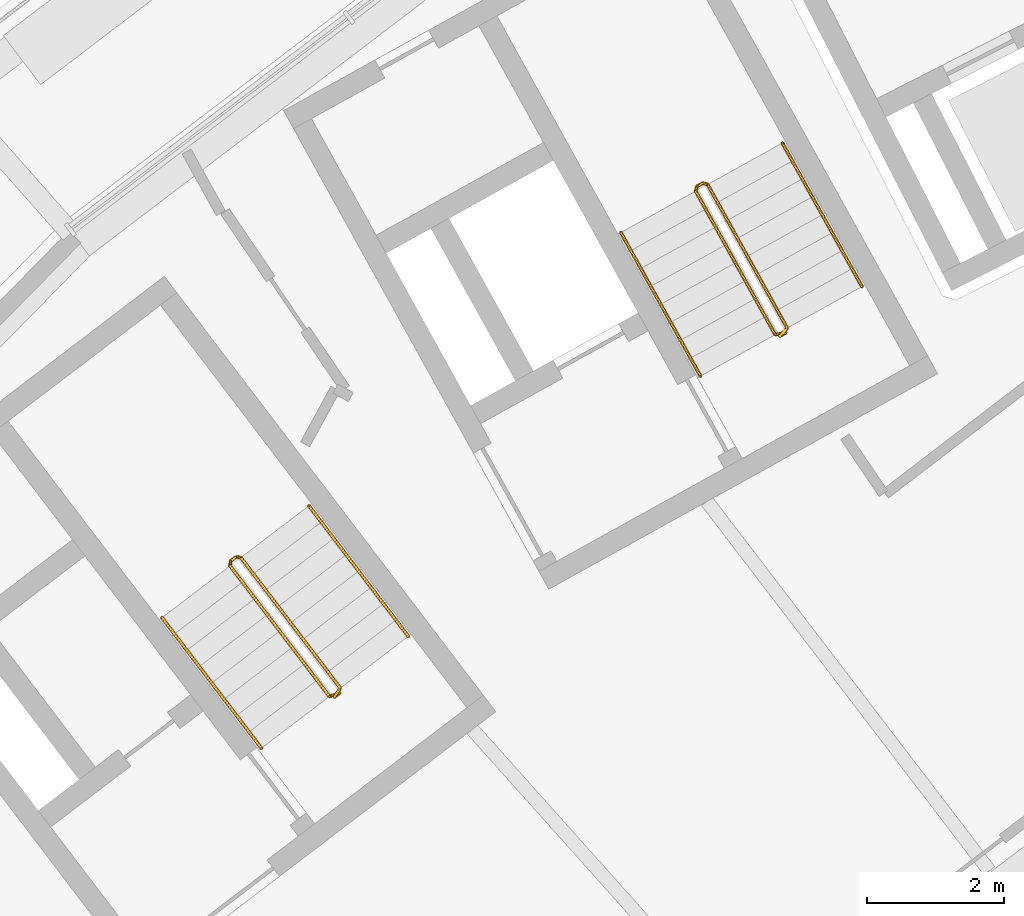
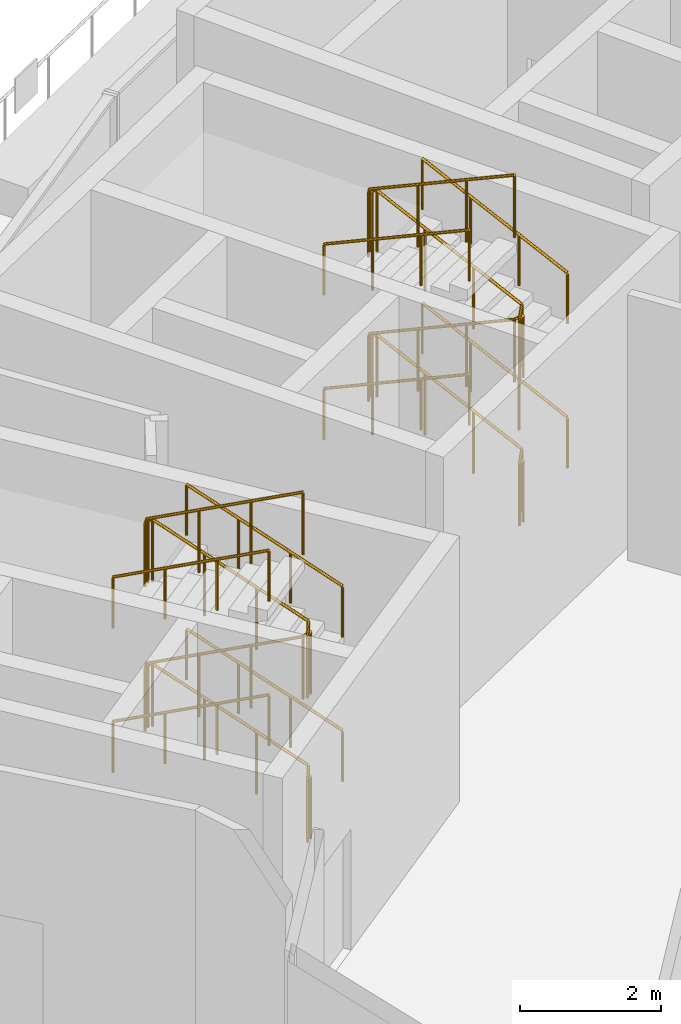
# One storey, part 26 of 28: 10 railings.
"""IFC4 building model written with IfcOpenShell, lengths in metres."""

from ifc_helpers import new_model, si_unit, direction, frame, origin, origin_2d, place, context, subcontext, project, spatial, circle, extrude, material, type_object, element, save


model = new_model("IFC4")

# Units and contexts
model_context = context("Model", 3, precision=1e-05, world=origin(), true_north=direction((0.0, 1.0)))
body_context = subcontext(model_context, "Body", "Model", "MODEL_VIEW")
ifc_project = project(units=[si_unit("LENGTHUNIT", "METRE"), si_unit("AREAUNIT", "SQUARE_METRE"), si_unit("VOLUMEUNIT", "CUBIC_METRE"), si_unit("PLANEANGLEUNIT", "RADIAN"), si_unit("MASSUNIT", "GRAM", prefix="KILO")], contexts=[model_context])

# Site, building, storey
site_placement = place(None, origin())
site = spatial("IfcSite", under=ifc_project, at=site_placement, CompositionType="ELEMENT")
building_placement = place(site_placement, origin())
building = spatial("IfcBuilding", under=site, at=building_placement, Name="Tuul Gate Civic Tower", CompositionType="ELEMENT")
storey_placement = place(building_placement, frame((0.0, 0.0, 128.699951171875)))
storey = spatial("IfcBuildingStorey", under=building, at=storey_placement, Name="Sky garden level 1", CompositionType="ELEMENT", Elevation=128.699951171875)

# Railings
ifc_material_1 = material(Name="Painted steel", Category="steel")
railing_type_1 = type_object("IfcRailingType", Name="Stair guard", PredefinedType="GUARDRAIL", material=ifc_material_1)
railing_1_placement = place(storey_placement, frame((-33.382080078125, -13.515380859375, 0.0)))
element("IfcRailing", 1, at=railing_1_placement, inside=storey, type_object=railing_type_1, Name="Sky garden level 1 ST-1 stair guard 1", PredefinedType="GUARDRAIL", context=body_context, shape_type="SweptSolid", body=[
    extrude(circle(Radius=0.02392578125, at=origin_2d()), frame((0.0, 0.0, 1.076171875), z_axis=(-0.795879841968, -0.605454603706, 0.0), x_axis=(0.605454603706, -0.795879841968, 0.0)), (0.0, 0.0, 1.0), 0.10009765625),
    extrude(circle(Radius=0.02392578125, at=origin_2d()), frame((-0.07958984375, -0.060546875, 1.076171875), z_axis=(0.423386299102, 0.620579917862, 0.660018641614), x_axis=(-0.826063974707, 0.563576356576, 0.0)), (0.0, 0.0, 1.0), 0.21044921875),
    extrude(circle(Radius=0.02392578125, at=origin_2d()), frame((0.009521484375, 0.070068359375, 1.21484375), z_axis=(-0.549737849212, 0.721998273498, 0.420127111967), x_axis=(-0.795620835531, -0.605794920801, 0.0)), (0.0, 0.0, 1.0), 2.64453125),
    extrude(circle(Radius=0.02392578125, at=origin_2d()), frame((-1.4443359375, 1.9794921875, 2.326171875), z_axis=(-0.990893089246, 0.134650977284, 0.0), x_axis=(-0.134650977284, -0.990893089246, 0.0)), (0.0, 0.0, 1.0), 0.07080078125),
    extrude(circle(Radius=0.02392578125, at=origin_2d()), frame((-1.514404296875, 1.989013671875, 2.326171875), z_axis=(-0.795879841968, -0.605454603706, 0.0), x_axis=(0.605454603706, -0.795879841968, 0.0)), (0.0, 0.0, 1.0), 0.10009765625),
    extrude(circle(Radius=0.02392578125, at=origin_2d()), frame((-1.593994140625, 1.928466796875, 2.326171875), z_axis=(-0.061082998929, -0.449508222888, 0.891185292068), x_axis=(0.990893089246, -0.134650977284, 0.0)), (0.0, 0.0, 1.0), 0.15576171875),
    extrude(circle(Radius=0.02392578125, at=origin_2d()), frame((-1.603515625, 1.8583984375, 2.46484375), z_axis=(0.549737849212, -0.721998273498, 0.420127111967), x_axis=(0.795620835531, 0.605794920801, 0.0)), (0.0, 0.0, 1.0), 2.64453125),
    extrude(circle(Radius=0.02392578125, at=origin_2d()), frame((-0.149658203125, -0.051025390625, 3.576171875), z_axis=(0.946499470085, 0.32270536582, 0.0), x_axis=(-0.32270536582, 0.946499470085, 0.0)), (0.0, 0.0, 1.0), 0.158203125),
    extrude(circle(Radius=0.02392578125, at=origin_2d()), frame((0.0, 0.0, 3.576171875), z_axis=(-0.795879841968, -0.605454603706, 0.0), x_axis=(0.605454603706, -0.795879841968, 0.0)), (0.0, 0.0, 1.0), 0.10009765625),
    extrude(circle(Radius=0.02392578125, at=origin_2d()), frame((-0.07958984375, -0.060546875, 3.576171875), z_axis=(0.423386299102, 0.620579917862, 0.660018641614), x_axis=(-0.826063974707, 0.563576356576, 0.0)), (0.0, 0.0, 1.0), 0.21044921875),
    extrude(circle(Radius=0.02392578125, at=origin_2d()), frame((0.009521484375, 0.070068359375, 3.71484375), z_axis=(-0.549737849212, 0.721998273498, 0.420127111967), x_axis=(-0.795620835531, -0.605794920801, 0.0)), (0.0, 0.0, 1.0), 2.64453125),
    extrude(circle(Radius=0.02392578125, at=origin_2d()), frame((-1.4443359375, 1.9794921875, 4.826171875), z_axis=(-0.990893089246, 0.134650977284, 0.0), x_axis=(-0.134650977284, -0.990893089246, 0.0)), (0.0, 0.0, 1.0), 0.07080078125),
    extrude(circle(Radius=0.02392578125, at=origin_2d()), frame((-1.514404296875, 1.989013671875, 4.826171875), z_axis=(-0.795879841968, -0.605454603706, 0.0), x_axis=(0.605454603706, -0.795879841968, 0.0)), (0.0, 0.0, 1.0), 0.10009765625),
    extrude(circle(Radius=0.02392578125, at=origin_2d()), frame((-1.593994140625, 1.928466796875, 4.826171875), z_axis=(-0.061082998929, -0.449508222888, 0.891185292068), x_axis=(0.990893089246, -0.134650977284, 0.0)), (0.0, 0.0, 1.0), 0.15576171875),
    extrude(circle(Radius=0.02392578125, at=origin_2d()), frame((-1.603515625, 1.8583984375, 4.96484375), z_axis=(0.549737849212, -0.721998273498, 0.420127111967), x_axis=(0.795620835531, 0.605794920801, 0.0)), (0.0, 0.0, 1.0), 2.64453125),
    extrude(circle(Radius=0.02099609375, at=origin_2d()), origin(), (0.0, 0.0, 1.0), 1.052001953125),
    extrude(circle(Radius=0.02099609375, at=origin_2d()), frame((-0.07958984375, -0.060546875, 0.0)), (0.0, 0.0, 1.0), 1.052001953125),
    extrude(circle(Radius=0.02099609375, at=origin_2d()), frame((0.009521484375, 0.070068359375, 0.138916015625)), (0.0, 0.0, 1.0), 1.052001953125),
    extrude(circle(Radius=0.02099609375, at=origin_2d()), frame((-0.47509765625, 0.70654296875, 0.50927734375)), (0.0, 0.0, 1.0), 1.052001953125),
    extrude(circle(Radius=0.02099609375, at=origin_2d()), frame((-0.959716796875, 1.343017578125, 0.879638671875)), (0.0, 0.0, 1.0), 1.052001953125),
    extrude(circle(Radius=0.02099609375, at=origin_2d()), frame((-1.4443359375, 1.9794921875, 1.25)), (0.0, 0.0, 1.0), 1.052001953125),
    extrude(circle(Radius=0.02099609375, at=origin_2d()), frame((-1.514404296875, 1.989013671875, 1.25)), (0.0, 0.0, 1.0), 1.052001953125),
    extrude(circle(Radius=0.02099609375, at=origin_2d()), frame((-1.593994140625, 1.928466796875, 1.25)), (0.0, 0.0, 1.0), 1.052001953125),
    extrude(circle(Radius=0.02099609375, at=origin_2d()), frame((-1.603515625, 1.8583984375, 1.388916015625)), (0.0, 0.0, 1.0), 1.052001953125),
    extrude(circle(Radius=0.02099609375, at=origin_2d()), frame((-1.118896484375, 1.221923828125, 1.75927734375)), (0.0, 0.0, 1.0), 1.052001953125),
    extrude(circle(Radius=0.02099609375, at=origin_2d()), frame((-0.63427734375, 0.58544921875, 2.129638671875)), (0.0, 0.0, 1.0), 1.052001953125),
    extrude(circle(Radius=0.02099609375, at=origin_2d()), frame((-0.149658203125, -0.051025390625, 2.5)), (0.0, 0.0, 1.0), 1.052001953125),
    extrude(circle(Radius=0.02099609375, at=origin_2d()), frame((0.0, 0.0, 2.5)), (0.0, 0.0, 1.0), 1.052001953125),
    extrude(circle(Radius=0.02099609375, at=origin_2d()), frame((-0.07958984375, -0.060546875, 2.5)), (0.0, 0.0, 1.0), 1.052001953125),
    extrude(circle(Radius=0.02099609375, at=origin_2d()), frame((0.009521484375, 0.070068359375, 2.638916015625)), (0.0, 0.0, 1.0), 1.052001953125),
    extrude(circle(Radius=0.02099609375, at=origin_2d()), frame((-0.47509765625, 0.70654296875, 3.00927734375)), (0.0, 0.0, 1.0), 1.052001953125),
    extrude(circle(Radius=0.02099609375, at=origin_2d()), frame((-0.959716796875, 1.343017578125, 3.379638671875)), (0.0, 0.0, 1.0), 1.052001953125),
    extrude(circle(Radius=0.02099609375, at=origin_2d()), frame((-1.4443359375, 1.9794921875, 3.75)), (0.0, 0.0, 1.0), 1.052001953125),
    extrude(circle(Radius=0.02099609375, at=origin_2d()), frame((-1.514404296875, 1.989013671875, 3.75)), (0.0, 0.0, 1.0), 1.052001953125),
    extrude(circle(Radius=0.02099609375, at=origin_2d()), frame((-1.593994140625, 1.928466796875, 3.75)), (0.0, 0.0, 1.0), 1.052001953125),
    extrude(circle(Radius=0.02099609375, at=origin_2d()), frame((-1.603515625, 1.8583984375, 3.888916015625)), (0.0, 0.0, 1.0), 1.052001953125),
    extrude(circle(Radius=0.02099609375, at=origin_2d()), frame((-1.118896484375, 1.221923828125, 4.25927734375)), (0.0, 0.0, 1.0), 1.052001953125),
    extrude(circle(Radius=0.02099609375, at=origin_2d()), frame((-0.63427734375, 0.58544921875, 4.629638671875)), (0.0, 0.0, 1.0), 1.052001953125),
    extrude(circle(Radius=0.02099609375, at=origin_2d()), frame((-0.149658203125, -0.051025390625, 5.0)), (0.0, 0.0, 1.0), 1.052001953125),
])
railing_2_placement = place(storey_placement, frame((-26.857666015625, -8.247314453125, 0.0)))
element("IfcRailing", 2, at=railing_2_placement, inside=storey, type_object=railing_type_1, Name="Sky garden level 1 ST-2 stair guard 1", PredefinedType="GUARDRAIL", context=body_context, shape_type="SweptSolid", body=[
    extrude(circle(Radius=0.02392578125, at=origin_2d()), frame((0.0, 0.0, 1.076171875), z_axis=(-0.874616555828, -0.48481530532, 0.0), x_axis=(0.48481530532, -0.874616555828, 0.0)), (0.0, 0.0, 1.0), 0.10009765625),
    extrude(circle(Radius=0.02392578125, at=origin_2d()), frame((-0.087646484375, -0.048583984375, 1.076171875), z_axis=(0.508089879802, 0.553330759511, 0.66005283472), x_axis=(-0.736576986774, 0.676353711126, 0.0)), (0.0, 0.0, 1.0), 0.21044921875),
    extrude(circle(Radius=0.02392578125, at=origin_2d()), frame((0.019287109375, 0.06787109375, 1.21484375), z_axis=(-0.439881164574, 0.793724712069, 0.42012574606), x_axis=(-0.874660649081, -0.484735751672, 0.0)), (0.0, 0.0, 1.0), 2.64453125),
    extrude(circle(Radius=0.02392578125, at=origin_2d()), frame((-1.14404296875, 2.1669921875, 2.326171875), z_axis=(-0.961000426733, 0.276546885391, 0.0), x_axis=(-0.276546885391, -0.961000426733, 0.0)), (0.0, 0.0, 1.0), 0.070556640625),
    extrude(circle(Radius=0.02392578125, at=origin_2d()), frame((-1.2119140625, 2.1865234375, 2.326171875), z_axis=(-0.87564882518, -0.482948377119, 0.0), x_axis=(0.482948377119, -0.87564882518, 0.0)), (0.0, 0.0, 1.0), 0.10009765625),
    extrude(circle(Radius=0.02392578125, at=origin_2d()), frame((-1.299560546875, 2.13818359375, 2.326171875), z_axis=(-0.123703100499, -0.436875506824, 0.890975495996), x_axis=(0.962171938298, -0.272442950271, 0.0)), (0.0, 0.0, 1.0), 0.156005859375),
    extrude(circle(Radius=0.02392578125, at=origin_2d()), frame((-1.31884765625, 2.070068359375, 2.46484375), z_axis=(0.439881164574, -0.793724712069, 0.42012574606), x_axis=(0.874660649081, 0.484735751672, 0.0)), (0.0, 0.0, 1.0), 2.64453125),
    extrude(circle(Radius=0.02392578125, at=origin_2d()), frame((-0.155517578125, -0.029052734375, 3.576171875), z_axis=(0.98299425886, 0.183636290117, 0.0), x_axis=(-0.183636290117, 0.98299425886, 0.0)), (0.0, 0.0, 1.0), 0.158203125),
    extrude(circle(Radius=0.02392578125, at=origin_2d()), frame((0.0, 0.0, 3.576171875), z_axis=(-0.874616555828, -0.48481530532, 0.0), x_axis=(0.48481530532, -0.874616555828, 0.0)), (0.0, 0.0, 1.0), 0.10009765625),
    extrude(circle(Radius=0.02392578125, at=origin_2d()), frame((-0.087646484375, -0.048583984375, 3.576171875), z_axis=(0.508089879802, 0.553330759511, 0.66005283472), x_axis=(-0.736576986774, 0.676353711126, 0.0)), (0.0, 0.0, 1.0), 0.21044921875),
    extrude(circle(Radius=0.02392578125, at=origin_2d()), frame((0.019287109375, 0.06787109375, 3.71484375), z_axis=(-0.439881164574, 0.793724712069, 0.42012574606), x_axis=(-0.874660649081, -0.484735751672, 0.0)), (0.0, 0.0, 1.0), 2.64453125),
    extrude(circle(Radius=0.02392578125, at=origin_2d()), frame((-1.14404296875, 2.1669921875, 4.826171875), z_axis=(-0.961000426733, 0.276546885391, 0.0), x_axis=(-0.276546885391, -0.961000426733, 0.0)), (0.0, 0.0, 1.0), 0.070556640625),
    extrude(circle(Radius=0.02392578125, at=origin_2d()), frame((-1.2119140625, 2.1865234375, 4.826171875), z_axis=(-0.87564882518, -0.482948377119, 0.0), x_axis=(0.482948377119, -0.87564882518, 0.0)), (0.0, 0.0, 1.0), 0.10009765625),
    extrude(circle(Radius=0.02392578125, at=origin_2d()), frame((-1.299560546875, 2.13818359375, 4.826171875), z_axis=(-0.123703100499, -0.436875506824, 0.890975495996), x_axis=(0.962171938298, -0.272442950271, 0.0)), (0.0, 0.0, 1.0), 0.156005859375),
    extrude(circle(Radius=0.02392578125, at=origin_2d()), frame((-1.31884765625, 2.070068359375, 4.96484375), z_axis=(0.439881164574, -0.793724712069, 0.42012574606), x_axis=(0.874660649081, 0.484735751672, 0.0)), (0.0, 0.0, 1.0), 2.64453125),
    extrude(circle(Radius=0.02099609375, at=origin_2d()), origin(), (0.0, 0.0, 1.0), 1.052001953125),
    extrude(circle(Radius=0.02099609375, at=origin_2d()), frame((-0.087646484375, -0.048583984375, 0.0)), (0.0, 0.0, 1.0), 1.052001953125),
    extrude(circle(Radius=0.02099609375, at=origin_2d()), frame((0.019287109375, 0.06787109375, 0.138916015625)), (0.0, 0.0, 1.0), 1.052001953125),
    extrude(circle(Radius=0.02099609375, at=origin_2d()), frame((-0.368408203125, 0.767578125, 0.50927734375)), (0.0, 0.0, 1.0), 1.052001953125),
    extrude(circle(Radius=0.02099609375, at=origin_2d()), frame((-0.75634765625, 1.46728515625, 0.879638671875)), (0.0, 0.0, 1.0), 1.052001953125),
    extrude(circle(Radius=0.02099609375, at=origin_2d()), frame((-1.14404296875, 2.1669921875, 1.25)), (0.0, 0.0, 1.0), 1.052001953125),
    extrude(circle(Radius=0.02099609375, at=origin_2d()), frame((-1.2119140625, 2.1865234375, 1.25)), (0.0, 0.0, 1.0), 1.052001953125),
    extrude(circle(Radius=0.02099609375, at=origin_2d()), frame((-1.299560546875, 2.13818359375, 1.25)), (0.0, 0.0, 1.0), 1.052001953125),
    extrude(circle(Radius=0.02099609375, at=origin_2d()), frame((-1.31884765625, 2.070068359375, 1.388916015625)), (0.0, 0.0, 1.0), 1.052001953125),
    extrude(circle(Radius=0.02099609375, at=origin_2d()), frame((-0.93115234375, 1.370361328125, 1.75927734375)), (0.0, 0.0, 1.0), 1.052001953125),
    extrude(circle(Radius=0.02099609375, at=origin_2d()), frame((-0.543212890625, 0.670654296875, 2.129638671875)), (0.0, 0.0, 1.0), 1.052001953125),
    extrude(circle(Radius=0.02099609375, at=origin_2d()), frame((-0.155517578125, -0.029052734375, 2.5)), (0.0, 0.0, 1.0), 1.052001953125),
    extrude(circle(Radius=0.02099609375, at=origin_2d()), frame((0.0, 0.0, 2.5)), (0.0, 0.0, 1.0), 1.052001953125),
    extrude(circle(Radius=0.02099609375, at=origin_2d()), frame((-0.087646484375, -0.048583984375, 2.5)), (0.0, 0.0, 1.0), 1.052001953125),
    extrude(circle(Radius=0.02099609375, at=origin_2d()), frame((0.019287109375, 0.06787109375, 2.638916015625)), (0.0, 0.0, 1.0), 1.052001953125),
    extrude(circle(Radius=0.02099609375, at=origin_2d()), frame((-0.368408203125, 0.767578125, 3.00927734375)), (0.0, 0.0, 1.0), 1.052001953125),
    extrude(circle(Radius=0.02099609375, at=origin_2d()), frame((-0.75634765625, 1.46728515625, 3.379638671875)), (0.0, 0.0, 1.0), 1.052001953125),
    extrude(circle(Radius=0.02099609375, at=origin_2d()), frame((-1.14404296875, 2.1669921875, 3.75)), (0.0, 0.0, 1.0), 1.052001953125),
    extrude(circle(Radius=0.02099609375, at=origin_2d()), frame((-1.2119140625, 2.1865234375, 3.75)), (0.0, 0.0, 1.0), 1.052001953125),
    extrude(circle(Radius=0.02099609375, at=origin_2d()), frame((-1.299560546875, 2.13818359375, 3.75)), (0.0, 0.0, 1.0), 1.052001953125),
    extrude(circle(Radius=0.02099609375, at=origin_2d()), frame((-1.31884765625, 2.070068359375, 3.888916015625)), (0.0, 0.0, 1.0), 1.052001953125),
    extrude(circle(Radius=0.02099609375, at=origin_2d()), frame((-0.93115234375, 1.370361328125, 4.25927734375)), (0.0, 0.0, 1.0), 1.052001953125),
    extrude(circle(Radius=0.02099609375, at=origin_2d()), frame((-0.543212890625, 0.670654296875, 4.629638671875)), (0.0, 0.0, 1.0), 1.052001953125),
    extrude(circle(Radius=0.02099609375, at=origin_2d()), frame((-0.155517578125, -0.029052734375, 5.0)), (0.0, 0.0, 1.0), 1.052001953125),
])
ifc_material_2 = material(Name="Painted steel", Category="steel")
railing_type_2 = type_object("IfcRailingType", Name="Stair handrail", PredefinedType="HANDRAIL", material=ifc_material_2)
railing_3_placement = place(storey_placement, frame((-32.3779296875, -12.688232421875, 0.138916015625)))
element("IfcRailing", 3, at=railing_3_placement, inside=storey, type_object=railing_type_2, Name="Sky garden level 1 ST-1 stair handrail 1", PredefinedType="HANDRAIL", context=body_context, shape_type="SweptSolid", body=[
    extrude(circle(Radius=0.02392578125, at=origin_2d()), frame((0.0, 0.0, 0.8759765625), z_axis=(-0.549701209671, 0.722042462141, 0.420099110867), x_axis=(-0.79565816419, -0.605745892068, 0.0)), (0.0, 0.0, 1.0), 2.644775390625),
    extrude(circle(Radius=0.02099609375, at=origin_2d()), origin(), (0.0, 0.0, 1.0), 0.851806640625),
    extrude(circle(Radius=0.02099609375, at=origin_2d()), frame((-0.484619140625, 0.636474609375, 0.370361328125)), (0.0, 0.0, 1.0), 0.851806640625),
    extrude(circle(Radius=0.02099609375, at=origin_2d()), frame((-0.96923828125, 1.273193359375, 0.74072265625)), (0.0, 0.0, 1.0), 0.851806640625),
    extrude(circle(Radius=0.02099609375, at=origin_2d()), frame((-1.453857421875, 1.90966796875, 1.111083984375)), (0.0, 0.0, 1.0), 0.851806640625),
])
railing_4_placement = place(storey_placement, frame((-35.97998046875, -12.414306640625, 1.388916015625)))
element("IfcRailing", 4, at=railing_4_placement, inside=storey, type_object=railing_type_2, Name="Sky garden level 1 ST-1 stair handrail 2", PredefinedType="HANDRAIL", context=body_context, shape_type="SweptSolid", body=[
    extrude(circle(Radius=0.02392578125, at=origin_2d()), frame((0.0, 0.0, 0.8759765625), z_axis=(0.549737849212, -0.721998273498, 0.420127111967), x_axis=(0.795620835531, 0.605794920801, 0.0)), (0.0, 0.0, 1.0), 2.64453125),
    extrude(circle(Radius=0.02099609375, at=origin_2d()), origin(), (0.0, 0.0, 1.0), 0.851806640625),
    extrude(circle(Radius=0.02099609375, at=origin_2d()), frame((0.484619140625, -0.636474609375, 0.370361328125)), (0.0, 0.0, 1.0), 0.851806640625),
    extrude(circle(Radius=0.02099609375, at=origin_2d()), frame((0.96923828125, -1.27294921875, 0.74072265625)), (0.0, 0.0, 1.0), 0.851806640625),
    extrude(circle(Radius=0.02099609375, at=origin_2d()), frame((1.453857421875, -1.909423828125, 1.111083984375)), (0.0, 0.0, 1.0), 0.851806640625),
])
railing_5_placement = place(storey_placement, frame((-32.3779296875, -12.688232421875, 2.638916015625)))
element("IfcRailing", 5, at=railing_5_placement, inside=storey, type_object=railing_type_2, Name="Sky garden level 1 ST-1 stair handrail 3", PredefinedType="HANDRAIL", context=body_context, shape_type="SweptSolid", body=[
    extrude(circle(Radius=0.02392578125, at=origin_2d()), frame((0.0, 0.0, 0.8759765625), z_axis=(-0.549701209671, 0.722042462141, 0.420099110867), x_axis=(-0.79565816419, -0.605745892068, 0.0)), (0.0, 0.0, 1.0), 2.644775390625),
    extrude(circle(Radius=0.02099609375, at=origin_2d()), origin(), (0.0, 0.0, 1.0), 0.851806640625),
    extrude(circle(Radius=0.02099609375, at=origin_2d()), frame((-0.484619140625, 0.636474609375, 0.370361328125)), (0.0, 0.0, 1.0), 0.851806640625),
    extrude(circle(Radius=0.02099609375, at=origin_2d()), frame((-0.96923828125, 1.273193359375, 0.74072265625)), (0.0, 0.0, 1.0), 0.851806640625),
    extrude(circle(Radius=0.02099609375, at=origin_2d()), frame((-1.453857421875, 1.90966796875, 1.111083984375)), (0.0, 0.0, 1.0), 0.851806640625),
])
railing_6_placement = place(storey_placement, frame((-35.97998046875, -12.414306640625, 3.888916015625)))
element("IfcRailing", 6, at=railing_6_placement, inside=storey, type_object=railing_type_2, Name="Sky garden level 1 ST-1 stair handrail 4", PredefinedType="HANDRAIL", context=body_context, shape_type="SweptSolid", body=[
    extrude(circle(Radius=0.02392578125, at=origin_2d()), frame((0.0, 0.0, 0.8759765625), z_axis=(0.549737849212, -0.721998273498, 0.420127111967), x_axis=(0.795620835531, 0.605794920801, 0.0)), (0.0, 0.0, 1.0), 2.64453125),
    extrude(circle(Radius=0.02099609375, at=origin_2d()), origin(), (0.0, 0.0, 1.0), 0.851806640625),
    extrude(circle(Radius=0.02099609375, at=origin_2d()), frame((0.484619140625, -0.636474609375, 0.370361328125)), (0.0, 0.0, 1.0), 0.851806640625),
    extrude(circle(Radius=0.02099609375, at=origin_2d()), frame((0.96923828125, -1.27294921875, 0.74072265625)), (0.0, 0.0, 1.0), 0.851806640625),
    extrude(circle(Radius=0.02099609375, at=origin_2d()), frame((1.453857421875, -1.909423828125, 1.111083984375)), (0.0, 0.0, 1.0), 0.851806640625),
])
railing_7_placement = place(storey_placement, frame((-25.744873046875, -7.573486328125, 0.138916015625)))
element("IfcRailing", 7, at=railing_7_placement, inside=storey, type_object=railing_type_2, Name="Sky garden level 1 ST-2 stair handrail 1", PredefinedType="HANDRAIL", context=body_context, shape_type="SweptSolid", body=[
    extrude(circle(Radius=0.02392578125, at=origin_2d()), frame((0.0, 0.0, 0.8759765625), z_axis=(-0.43995561254, 0.793692479358, 0.420108684992), x_axis=(-0.874617517018, -0.484813571308, 0.0)), (0.0, 0.0, 1.0), 2.644775390625),
    extrude(circle(Radius=0.02099609375, at=origin_2d()), origin(), (0.0, 0.0, 1.0), 0.851806640625),
    extrude(circle(Radius=0.02099609375, at=origin_2d()), frame((-0.387939453125, 0.69970703125, 0.370361328125)), (0.0, 0.0, 1.0), 0.851806640625),
    extrude(circle(Radius=0.02099609375, at=origin_2d()), frame((-0.775634765625, 1.3994140625, 0.74072265625)), (0.0, 0.0, 1.0), 0.851806640625),
    extrude(circle(Radius=0.02099609375, at=origin_2d()), frame((-1.16357421875, 2.09912109375, 1.111083984375)), (0.0, 0.0, 1.0), 0.851806640625),
])
railing_8_placement = place(storey_placement, frame((-29.27001953125, -6.783203125, 1.388916015625)))
element("IfcRailing", 8, at=railing_8_placement, inside=storey, type_object=railing_type_2, Name="Sky garden level 1 ST-2 stair handrail 2", PredefinedType="HANDRAIL", context=body_context, shape_type="SweptSolid", body=[
    extrude(circle(Radius=0.02392578125, at=origin_2d()), frame((0.0, 0.0, 0.8759765625), z_axis=(0.43995561254, -0.793692479358, 0.420108684992), x_axis=(0.874617517018, 0.484813571308, 0.0)), (0.0, 0.0, 1.0), 2.644775390625),
    extrude(circle(Radius=0.02099609375, at=origin_2d()), origin(), (0.0, 0.0, 1.0), 0.851806640625),
    extrude(circle(Radius=0.02099609375, at=origin_2d()), frame((0.387939453125, -0.69970703125, 0.370361328125)), (0.0, 0.0, 1.0), 0.851806640625),
    extrude(circle(Radius=0.02099609375, at=origin_2d()), frame((0.775634765625, -1.3994140625, 0.74072265625)), (0.0, 0.0, 1.0), 0.851806640625),
    extrude(circle(Radius=0.02099609375, at=origin_2d()), frame((1.16357421875, -2.09912109375, 1.111083984375)), (0.0, 0.0, 1.0), 0.851806640625),
])
railing_9_placement = place(storey_placement, frame((-25.744873046875, -7.573486328125, 2.638916015625)))
element("IfcRailing", 9, at=railing_9_placement, inside=storey, type_object=railing_type_2, Name="Sky garden level 1 ST-2 stair handrail 3", PredefinedType="HANDRAIL", context=body_context, shape_type="SweptSolid", body=[
    extrude(circle(Radius=0.02392578125, at=origin_2d()), frame((0.0, 0.0, 0.8759765625), z_axis=(-0.43995561254, 0.793692479358, 0.420108684992), x_axis=(-0.874617517018, -0.484813571308, 0.0)), (0.0, 0.0, 1.0), 2.644775390625),
    extrude(circle(Radius=0.02099609375, at=origin_2d()), origin(), (0.0, 0.0, 1.0), 0.851806640625),
    extrude(circle(Radius=0.02099609375, at=origin_2d()), frame((-0.387939453125, 0.69970703125, 0.370361328125)), (0.0, 0.0, 1.0), 0.851806640625),
    extrude(circle(Radius=0.02099609375, at=origin_2d()), frame((-0.775634765625, 1.3994140625, 0.74072265625)), (0.0, 0.0, 1.0), 0.851806640625),
    extrude(circle(Radius=0.02099609375, at=origin_2d()), frame((-1.16357421875, 2.09912109375, 1.111083984375)), (0.0, 0.0, 1.0), 0.851806640625),
])
railing_10_placement = place(storey_placement, frame((-29.27001953125, -6.783203125, 3.888916015625)))
element("IfcRailing", 10, at=railing_10_placement, inside=storey, type_object=railing_type_2, Name="Sky garden level 1 ST-2 stair handrail 4", PredefinedType="HANDRAIL", context=body_context, shape_type="SweptSolid", body=[
    extrude(circle(Radius=0.02392578125, at=origin_2d()), frame((0.0, 0.0, 0.8759765625), z_axis=(0.43995561254, -0.793692479358, 0.420108684992), x_axis=(0.874617517018, 0.484813571308, 0.0)), (0.0, 0.0, 1.0), 2.644775390625),
    extrude(circle(Radius=0.02099609375, at=origin_2d()), origin(), (0.0, 0.0, 1.0), 0.851806640625),
    extrude(circle(Radius=0.02099609375, at=origin_2d()), frame((0.387939453125, -0.69970703125, 0.370361328125)), (0.0, 0.0, 1.0), 0.851806640625),
    extrude(circle(Radius=0.02099609375, at=origin_2d()), frame((0.775634765625, -1.3994140625, 0.74072265625)), (0.0, 0.0, 1.0), 0.851806640625),
    extrude(circle(Radius=0.02099609375, at=origin_2d()), frame((1.16357421875, -2.09912109375, 1.111083984375)), (0.0, 0.0, 1.0), 0.851806640625),
])

save(model, "model.ifc")
